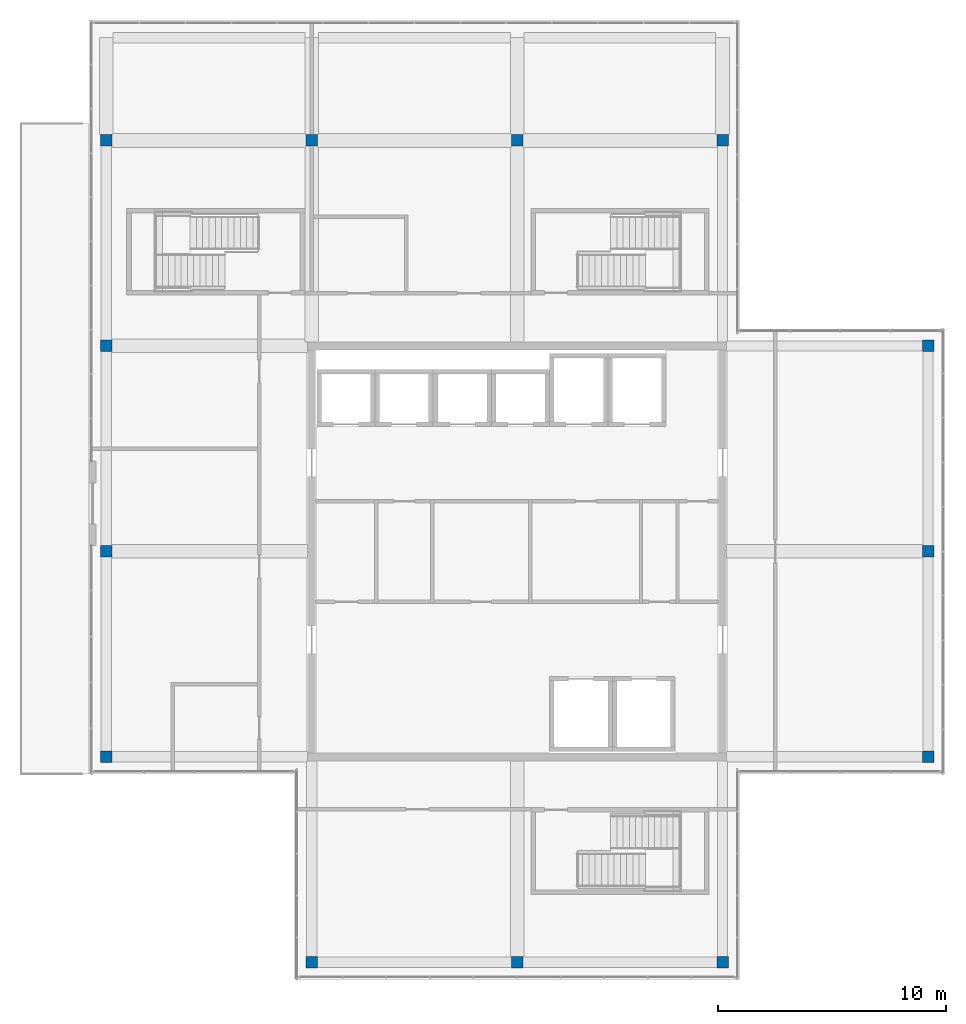
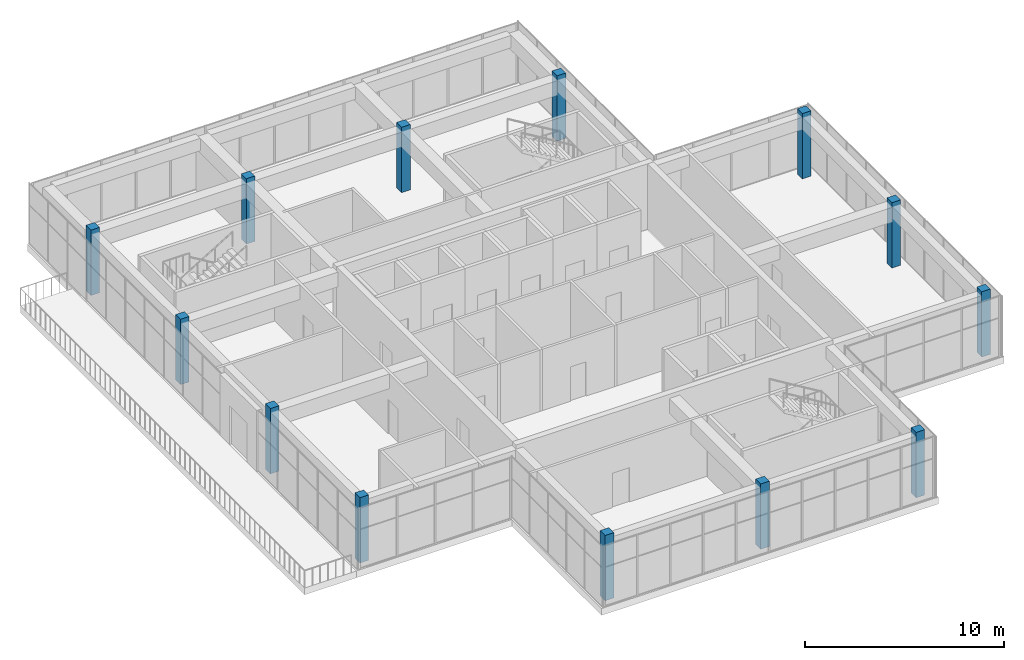
# One storey, part 1 of 34: 13 columns.
"""IFC4 building model written with IfcOpenShell, lengths in metres."""

from ifc_helpers import new_model, si_unit, direction, frame, origin, origin_2d, place, context, subcontext, project, spatial, rectangle, extrude, material, material_profile, profile_set, type_object, element, save


model = new_model("IFC4")

# Units and contexts
model_context = context("Model", 3, precision=1e-05, world=origin(), true_north=direction((0.0, 1.0)))
body_context = subcontext(model_context, "Body", "Model", "MODEL_VIEW")
ifc_project = project(units=[si_unit("LENGTHUNIT", "METRE"), si_unit("AREAUNIT", "SQUARE_METRE"), si_unit("VOLUMEUNIT", "CUBIC_METRE"), si_unit("PLANEANGLEUNIT", "RADIAN"), si_unit("MASSUNIT", "GRAM", prefix="KILO")], contexts=[model_context])

# Site, building, storey
site_placement = place(None, origin())
site = spatial("IfcSite", under=ifc_project, at=site_placement, CompositionType="ELEMENT")
building_placement = place(site_placement, origin())
building = spatial("IfcBuilding", under=site, at=building_placement, Name="Tuart Plaza Theatre", CompositionType="ELEMENT")
storey_placement = place(building_placement, frame((0.0, 0.0, 53.5)))
storey = spatial("IfcBuildingStorey", under=building, at=storey_placement, Name="L13", CompositionType="ELEMENT", Elevation=53.5)

# Columns
ifc_material = material(Name="Concrete N40 (40 MPa)", Category="concrete")
ifc_material_profile = material_profile(ifc_material, rectangle(XDim=0.5, YDim=0.5, at=origin_2d()), Name="COLUMN 500x500 Concrete N40 (40 MPa)")
ifc_profile_set = profile_set([ifc_material_profile], Name="Concrete N40 (40 MPa)")
column_type = type_object("IfcColumnType", Name="COLUMN 500x500 Concrete N40 (40 MPa)", PredefinedType="COLUMN", material=ifc_profile_set)
for number, where, z_axis, x_axis, name in (
    (1, (114.0, 65.0, 0.0), (0.0, 0.0, 1.0), (1.0, 0.0, 0.0), "C93"),
    (2, (114.0, 74.0, 0.0), (0.0, 0.0, 1.0), (1.0, 0.0, 0.0), "C94"),
    (3, (114.0, 83.0, 0.0), (0.0, 0.0, 1.0), (1.0, 0.0, 0.0), "C95"),
    (4, (114.0, 92.0, 0.0), (0.0, 0.0, 1.0), (1.0, 0.0, 0.0), "C96"),
    (5, (123.0, 56.0, 0.0), (0.0, 0.0, 1.0), (1.0, 0.0, 0.0), "C97"),
    (6, (123.0, 92.0, 0.0), (0.0, 0.0, 1.0), (1.0, 0.0, 0.0), "C98"),
    (7, (132.0, 56.0, 0.0), (0.0, 0.0, 1.0), (1.0, 0.0, 0.0), "C99"),
    (8, (132.0, 92.0, 0.0), (0.0, 0.0, 1.0), (1.0, 0.0, 0.0), "C100"),
    (9, (141.0, 56.0, 0.0), (0.0, 0.0, 1.0), (1.0, 0.0, 0.0), "C101"),
    (10, (141.0, 92.0, 0.0), (0.0, 0.0, 1.0), (1.0, 0.0, 0.0), "C102"),
    (11, (150.0, 65.0, 0.0), (0.0, 0.0, 1.0), (1.0, 0.0, 0.0), "C103"),
    (12, (150.0, 74.0, 0.0), (0.0, 0.0, 1.0), (1.0, 0.0, 0.0), "C104"),
    (13, (150.0, 83.0, 0.0), (0.0, 0.0, 1.0), (1.0, 0.0, 0.0), "C105"),
):
    element("IfcColumn", number, at=place(storey_placement, frame(where, z_axis=z_axis, x_axis=x_axis)), inside=storey, type_object=column_type, Name=name, PredefinedType="COLUMN", context=body_context, shape_type="SweptSolid", body=[
        extrude(rectangle(XDim=0.5, YDim=0.5, at=origin_2d()), origin(), (0.0, 0.0, 1.0), 4.0),
    ])

save(model, "model.ifc")
